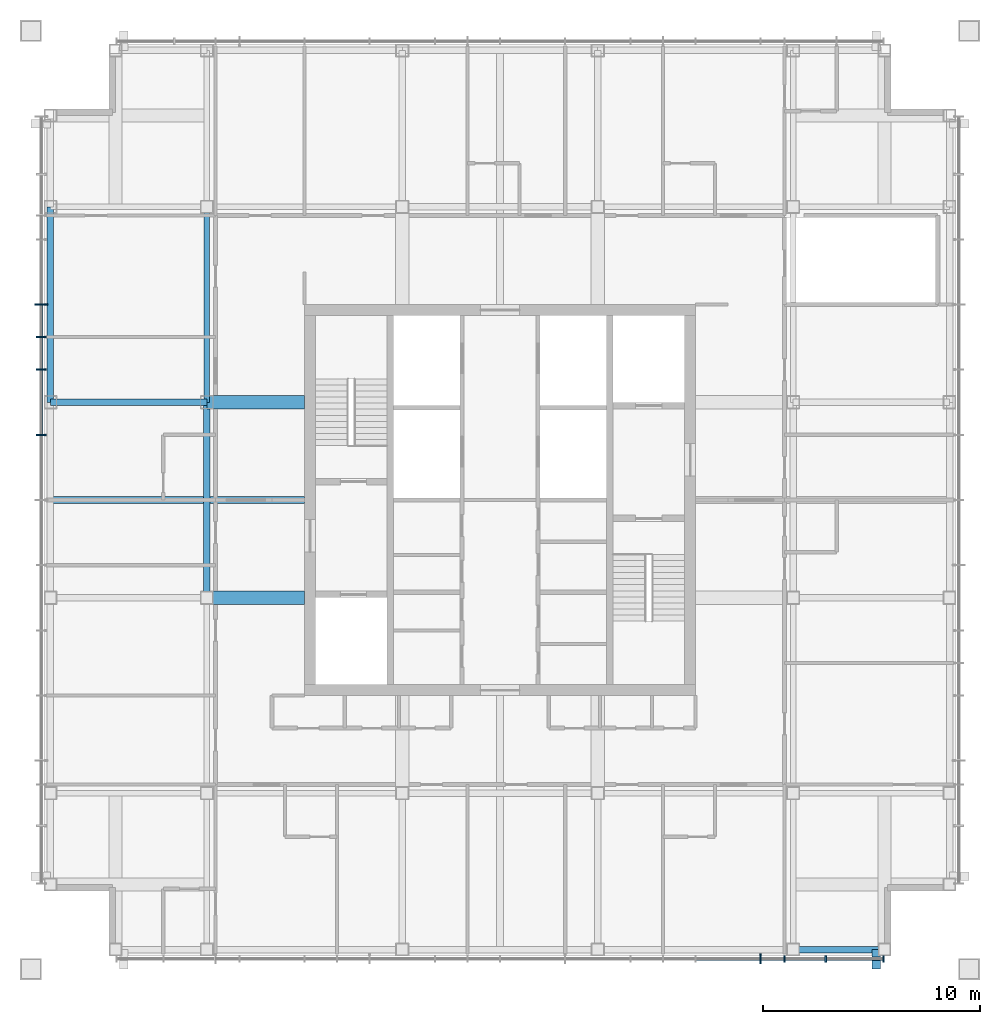
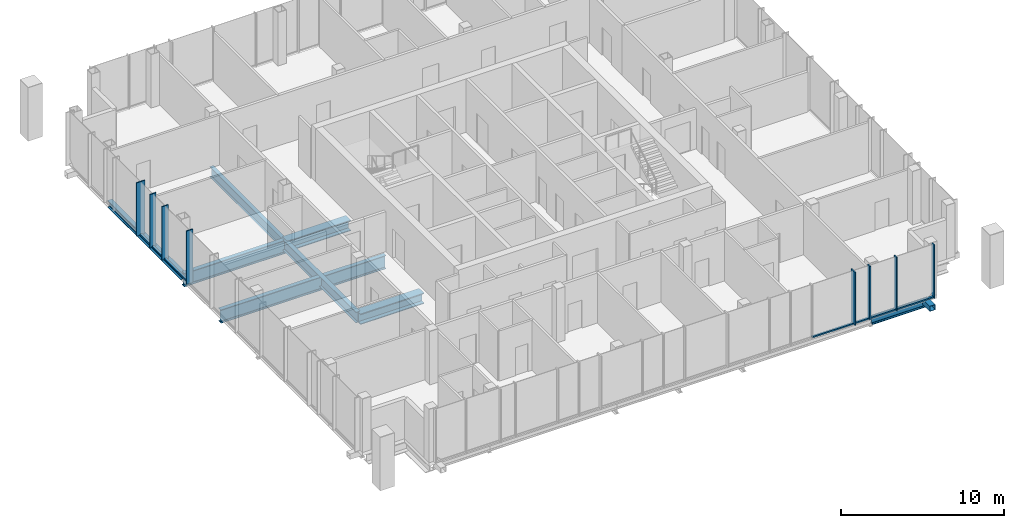
# One storey, part 3 of 12: 16 members, 8 beams, 2 elements without a shape of their own.
"""IFC4 building model written with IfcOpenShell, lengths in metres."""

from ifc_helpers import new_model, si_unit, direction, frame, origin, origin_2d, place, context, subcontext, project, spatial, rectangle, hollow_rectangle, i_section, extrude, material, layer, layer_set, material_profile, profile_set, type_object, element, aggregate, save


model = new_model("IFC4")

# Units and contexts
model_context = context("Model", 3, precision=1e-05, world=origin(), true_north=direction((0.0, 1.0)))
body_context = subcontext(model_context, "Body", "Model", "MODEL_VIEW")
ifc_project = project(units=[si_unit("LENGTHUNIT", "METRE"), si_unit("AREAUNIT", "SQUARE_METRE"), si_unit("VOLUMEUNIT", "CUBIC_METRE"), si_unit("PLANEANGLEUNIT", "RADIAN"), si_unit("MASSUNIT", "GRAM", prefix="KILO")], contexts=[model_context])

# Site, building, storey
site_placement = place(None, origin())
site = spatial("IfcSite", under=ifc_project, at=site_placement, CompositionType="ELEMENT")
building_placement = place(site_placement, origin())
building = spatial("IfcBuilding", under=site, at=building_placement, Name="Malebo Sky Hospital", CompositionType="ELEMENT")
storey_placement = place(building_placement, frame((0.0, 0.0, 286.0)))
storey = spatial("IfcBuildingStorey", under=building, at=storey_placement, Name="L69", CompositionType="ELEMENT", Elevation=286.0)

# Curtain wall, members
ifc_material_1 = material(Name="Anodised aluminium, natural silver", Category="aluminium")
ifc_layer_1 = layer(ifc_material_1, 0.25)
ifc_layer_set_1 = layer_set([ifc_layer_1], Name="WARD CURTAIN WALL EAST AND WEST")
curtain_wall_type_1 = type_object("IfcCurtainWallType", Name="WARD CURTAIN WALL EAST AND WEST", PredefinedType="NOTDEFINED", material=ifc_layer_set_1)
curtain_wall_1_placement = place(storey_placement, origin())
curtain_wall_1 = element("IfcCurtainWall", 1, at=curtain_wall_1_placement, inside=storey, type_object=curtain_wall_type_1, Name="EW curtain wall W", PredefinedType="NOTDEFINED")
ifc_material_profile_1 = material_profile(ifc_material_1, rectangle(XDim=0.14990234375, YDim=0.10009765625, at=origin_2d()), Name="ALUMINIUM TRANSOM 150x100")
ifc_profile_set_1 = profile_set([ifc_material_profile_1], Name="Anodised aluminium, natural silver")
member_type_1 = type_object("IfcMemberType", Name="ALUMINIUM TRANSOM 150x100", PredefinedType="USERDEFINED", material=ifc_profile_set_1)
member_1_placement = place(storey_placement, frame((38.875, 65.03759765625, 0.050048828125), z_axis=(0.0, 1.0, 0.0), x_axis=(-1.0, 0.0, 0.0)))
member_1 = element("IfcMember", 2, at=member_1_placement, type_object=member_type_1, Name="Transom 9", ObjectType="TRANSOM", PredefinedType="USERDEFINED", context=body_context, shape_type="SweptSolid", body=[
    extrude(rectangle(XDim=0.14990234375, YDim=0.10009765625, at=origin_2d()), origin(), (0.0, 0.0, 1.0), 2.9248046875),
])
member_2_placement = place(storey_placement, frame((38.875, 68.03759765625, 0.050048828125), z_axis=(0.0, 1.0, 0.0), x_axis=(-1.0, 0.0, 0.0)))
member_2 = element("IfcMember", 3, at=member_2_placement, type_object=member_type_1, Name="Transom 10", ObjectType="TRANSOM", PredefinedType="USERDEFINED", context=body_context, shape_type="SweptSolid", body=[
    extrude(rectangle(XDim=0.14990234375, YDim=0.10009765625, at=origin_2d()), origin(), (0.0, 0.0, 1.0), 1.4248046875),
])
member_3_placement = place(storey_placement, frame((38.875, 69.53759765625, 0.050048828125), z_axis=(0.0, 1.0, 0.0), x_axis=(-1.0, 0.0, 0.0)))
member_3 = element("IfcMember", 4, at=member_3_placement, type_object=member_type_1, Name="Transom 11", ObjectType="TRANSOM", PredefinedType="USERDEFINED", context=body_context, shape_type="SweptSolid", body=[
    extrude(rectangle(XDim=0.14990234375, YDim=0.10009765625, at=origin_2d()), origin(), (0.0, 0.0, 1.0), 1.4248046875),
])

ifc_layer_2 = layer(ifc_material_1, 0.25)
ifc_layer_set_2 = layer_set([ifc_layer_2], Name="WARD CURTAIN WALL NORTH AND SOUTH")
curtain_wall_type_2 = type_object("IfcCurtainWallType", Name="WARD CURTAIN WALL NORTH AND SOUTH", PredefinedType="NOTDEFINED", material=ifc_layer_set_2)
curtain_wall_2_placement = place(storey_placement, origin())
curtain_wall_2 = element("IfcCurtainWall", 5, at=curtain_wall_2_placement, inside=storey, type_object=curtain_wall_type_2, Name="NS curtain wall S", PredefinedType="NOTDEFINED")
member_4_placement = place(storey_placement, frame((77.625, 40.875, 0.050048828125), z_axis=(-1.0, 0.0, 0.0), x_axis=(0.0, -1.0, 0.0)))
member_4 = element("IfcMember", 6, at=member_4_placement, type_object=member_type_1, Name="Transom 1", ObjectType="TRANSOM", PredefinedType="USERDEFINED", context=body_context, shape_type="SweptSolid", body=[
    extrude(rectangle(XDim=0.14990234375, YDim=0.10009765625, at=origin_2d()), origin(), (0.0, 0.0, 1.0), 2.58740234375),
])
member_5_placement = place(storey_placement, frame((74.96240234375, 40.875, 0.050048828125), z_axis=(-1.0, 0.0, 0.0), x_axis=(0.0, -1.0, 0.0)))
member_5 = element("IfcMember", 7, at=member_5_placement, type_object=member_type_1, Name="Transom 2", ObjectType="TRANSOM", PredefinedType="USERDEFINED", context=body_context, shape_type="SweptSolid", body=[
    extrude(rectangle(XDim=0.14990234375, YDim=0.10009765625, at=origin_2d()), origin(), (0.0, 0.0, 1.0), 1.824951171875),
])
member_6_placement = place(storey_placement, frame((73.0625, 40.875, 0.050048828125), z_axis=(-1.0, 0.0, 0.0), x_axis=(0.0, -1.0, 0.0)))
member_6 = element("IfcMember", 8, at=member_6_placement, type_object=member_type_1, Name="Transom 3", ObjectType="TRANSOM", PredefinedType="USERDEFINED", context=body_context, shape_type="SweptSolid", body=[
    extrude(rectangle(XDim=0.14990234375, YDim=0.10009765625, at=origin_2d()), origin(), (0.0, 0.0, 1.0), 1.02490234375),
])
member_7_placement = place(storey_placement, frame((71.96240234375, 40.875, 0.050048828125), z_axis=(-1.0, 0.0, 0.0), x_axis=(0.0, -1.0, 0.0)))
member_7 = element("IfcMember", 9, at=member_7_placement, type_object=member_type_1, Name="Transom 4", ObjectType="TRANSOM", PredefinedType="USERDEFINED", context=body_context, shape_type="SweptSolid", body=[
    extrude(rectangle(XDim=0.14990234375, YDim=0.10009765625, at=origin_2d()), origin(), (0.0, 0.0, 1.0), 2.9248046875),
])

# Member
ifc_material_2 = material(Name="Steel S355", Category="steel")
ifc_material_profile_2 = material_profile(ifc_material_2, hollow_rectangle(XDim=0.39990234375, YDim=0.39990234375, WallThickness=0.02001953125, at=origin_2d()), Name="SHS 400x20")
ifc_profile_set_2 = profile_set([ifc_material_profile_2], Name="Steel S355")
member_type_2 = type_object("IfcMemberType", Name="BRACE STRUT SHS 400x20", PredefinedType="STRUT", material=ifc_profile_set_2)
member_8_placement = place(storey_placement, frame((77.328125, 40.39990234375, -0.39990234375), z_axis=(0.0, 1.0, 0.0), x_axis=(-1.0, 0.0, 0.0)))
element("IfcMember", 10, at=member_8_placement, inside=storey, type_object=member_type_2, Name="Brace strut DS1 L69", PredefinedType="STRUT", context=body_context, shape_type="SweptSolid", body=[
    extrude(hollow_rectangle(XDim=0.39990234375, YDim=0.39990234375, WallThickness=0.02001953125, at=origin_2d()), origin(), (0.0, 0.0, 1.0), 0.900146484375),
])

ifc_material_profile_3 = material_profile(ifc_material_1, rectangle(XDim=0.074951171875, YDim=0.300048828125, at=origin_2d()), Name="CW1 ALUMINIUM FIN MULLION 75x300")
ifc_profile_set_3 = profile_set([ifc_material_profile_3], Name="Anodised aluminium, natural silver")
member_type_3 = type_object("IfcMemberType", Name="CW1 ALUMINIUM FIN MULLION 75x300", PredefinedType="MULLION", material=ifc_profile_set_3)
member_9_placement = place(storey_placement, frame((77.66259765625, 40.875, 0.0), z_axis=(0.0, 0.0, 1.0), x_axis=(-1.0, 0.0, 0.0)))
member_9 = element("IfcMember", 11, at=member_9_placement, type_object=member_type_3, Name="Fin mullion 1", PredefinedType="MULLION", context=body_context, shape_type="SweptSolid", body=[
    extrude(rectangle(XDim=0.074951171875, YDim=0.300048828125, at=origin_2d()), origin(), (0.0, 0.0, 1.0), 4.0),
])

member_10_placement = place(storey_placement, frame((75.0, 40.875, 0.0), z_axis=(0.0, 0.0, 1.0), x_axis=(-1.0, 0.0, 0.0)))
member_10 = element("IfcMember", 12, at=member_10_placement, type_object=member_type_3, Name="Fin mullion 2", PredefinedType="MULLION", context=body_context, shape_type="SweptSolid", body=[
    extrude(rectangle(XDim=0.074951171875, YDim=0.300048828125, at=origin_2d()), origin(), (0.0, 0.0, 1.0), 4.0),
])

member_11_placement = place(storey_placement, frame((73.10009765625, 40.875, 0.0), z_axis=(0.0, 0.0, 1.0), x_axis=(-1.0, 0.0, 0.0)))
member_11 = element("IfcMember", 13, at=member_11_placement, type_object=member_type_3, Name="Fin mullion 3", PredefinedType="MULLION", context=body_context, shape_type="SweptSolid", body=[
    extrude(rectangle(XDim=0.074951171875, YDim=0.300048828125, at=origin_2d()), origin(), (0.0, 0.0, 1.0), 4.0),
])

ifc_material_profile_4 = material_profile(ifc_material_1, rectangle(XDim=0.074951171875, YDim=0.449951171875, at=origin_2d()), Name="CW1 ALUMINIUM FIN MULLION 75x450")
ifc_profile_set_4 = profile_set([ifc_material_profile_4], Name="Anodised aluminium, natural silver")
member_type_4 = type_object("IfcMemberType", Name="CW1 ALUMINIUM FIN MULLION 75x450", PredefinedType="MULLION", material=ifc_profile_set_4)
member_12_placement = place(storey_placement, frame((72.0, 40.875, 0.0), z_axis=(0.0, 0.0, 1.0), x_axis=(-1.0, 0.0, 0.0)))
member_12 = element("IfcMember", 14, at=member_12_placement, type_object=member_type_4, Name="Fin mullion 4", PredefinedType="MULLION", context=body_context, shape_type="SweptSolid", body=[
    extrude(rectangle(XDim=0.074951171875, YDim=0.449951171875, at=origin_2d()), origin(), (0.0, 0.0, 1.0), 4.0),
])

aggregate(curtain_wall_2, [member_9, member_10, member_11, member_12, member_4, member_5, member_6, member_7])

ifc_material_profile_5 = material_profile(ifc_material_1, rectangle(XDim=0.074951171875, YDim=0.449951171875, at=origin_2d()), Name="CW2 ALUMINIUM FIN MULLION 75x450")
ifc_profile_set_5 = profile_set([ifc_material_profile_5], Name="Anodised aluminium, natural silver")
member_type_5 = type_object("IfcMemberType", Name="CW2 ALUMINIUM FIN MULLION 75x450", PredefinedType="MULLION", material=ifc_profile_set_5)
member_13_placement = place(storey_placement, frame((38.875, 65.0, 0.0), z_axis=(0.0, 0.0, 1.0), x_axis=(0.0, 1.0, 0.0)))
member_13 = element("IfcMember", 15, at=member_13_placement, type_object=member_type_5, Name="Fin mullion 9", PredefinedType="MULLION", context=body_context, shape_type="SweptSolid", body=[
    extrude(rectangle(XDim=0.074951171875, YDim=0.449951171875, at=origin_2d()), origin(), (0.0, 0.0, 1.0), 4.0),
])

member_14_placement = place(storey_placement, frame((38.875, 68.0, 0.0), z_axis=(0.0, 0.0, 1.0), x_axis=(0.0, 1.0, 0.0)))
member_14 = element("IfcMember", 16, at=member_14_placement, type_object=member_type_5, Name="Fin mullion 10", PredefinedType="MULLION", context=body_context, shape_type="SweptSolid", body=[
    extrude(rectangle(XDim=0.074951171875, YDim=0.449951171875, at=origin_2d()), origin(), (0.0, 0.0, 1.0), 4.0),
])

member_15_placement = place(storey_placement, frame((38.875, 69.5, 0.0), z_axis=(0.0, 0.0, 1.0), x_axis=(0.0, 1.0, 0.0)))
member_15 = element("IfcMember", 17, at=member_15_placement, type_object=member_type_5, Name="Fin mullion 11", PredefinedType="MULLION", context=body_context, shape_type="SweptSolid", body=[
    extrude(rectangle(XDim=0.074951171875, YDim=0.449951171875, at=origin_2d()), origin(), (0.0, 0.0, 1.0), 4.0),
])

ifc_material_profile_6 = material_profile(ifc_material_1, rectangle(XDim=0.074951171875, YDim=0.60009765625, at=origin_2d()), Name="CW2 ALUMINIUM FIN MULLION 75x600")
ifc_profile_set_6 = profile_set([ifc_material_profile_6], Name="Anodised aluminium, natural silver")
member_type_6 = type_object("IfcMemberType", Name="CW2 ALUMINIUM FIN MULLION 75x600", PredefinedType="MULLION", material=ifc_profile_set_6)
member_16_placement = place(storey_placement, frame((38.875, 71.0, 0.0), z_axis=(0.0, 0.0, 1.0), x_axis=(0.0, 1.0, 0.0)))
member_16 = element("IfcMember", 18, at=member_16_placement, type_object=member_type_6, Name="Fin mullion 12", PredefinedType="MULLION", context=body_context, shape_type="SweptSolid", body=[
    extrude(rectangle(XDim=0.074951171875, YDim=0.60009765625, at=origin_2d()), origin(), (0.0, 0.0, 1.0), 4.0),
])

aggregate(curtain_wall_1, [member_13, member_14, member_15, member_16, member_1, member_2, member_3])

# Beams
ifc_material_profile_7 = material_profile(ifc_material_2, i_section(OverallWidth=0.305908203125, OverallDepth=0.52392578125, WebThickness=0.02099609375, FlangeThickness=0.0400390625, FilletRadius=0.027099609375, at=origin_2d()), Name="HEM 500")
ifc_profile_set_7 = profile_set([ifc_material_profile_7], Name="Steel S355")
beam_type_1 = type_object("IfcBeamType", Name="EDGE BEAM HEM 500", PredefinedType="BEAM", material=ifc_profile_set_7)
beam_1_placement = place(storey_placement, frame((39.300048828125, 66.5, -0.511962890625), z_axis=(0.0, 1.0, 0.0), x_axis=(-1.0, 0.0, 0.0)))
element("IfcBeam", 19, at=beam_1_placement, inside=storey, type_object=beam_type_1, Name="Beam 003 L69", PredefinedType="BEAM", context=body_context, shape_type="SweptSolid", body=[
    extrude(i_section(OverallWidth=0.305908203125, OverallDepth=0.52392578125, WebThickness=0.02099609375, FlangeThickness=0.0400390625, FilletRadius=0.027099609375, at=origin_2d()), origin(), (0.0, 0.0, 1.0), 9.0),
])
beam_2_placement = place(storey_placement, frame((73.5, 41.300048828125, -0.511962890625), z_axis=(1.0, 0.0, 0.0), x_axis=(0.0, 1.0, 0.0)))
element("IfcBeam", 20, at=beam_2_placement, inside=storey, type_object=beam_type_1, Name="Beam 038 L69", PredefinedType="BEAM", context=body_context, shape_type="SweptSolid", body=[
    extrude(i_section(OverallWidth=0.305908203125, OverallDepth=0.52392578125, WebThickness=0.02099609375, FlangeThickness=0.0400390625, FilletRadius=0.027099609375, at=origin_2d()), origin(), (0.0, 0.0, 1.0), 4.050048828125),
])
ifc_material_profile_8 = material_profile(ifc_material_2, i_section(OverallWidth=0.300048828125, OverallDepth=1.0, WebThickness=0.01904296875, FlangeThickness=0.035888671875, FilletRadius=0.030029296875, at=origin_2d()), Name="HEB 1000")
ifc_profile_set_8 = profile_set([ifc_material_profile_8], Name="Steel S355")
beam_type_2 = type_object("IfcBeamType", Name="FLOOR BEAM HEB 1000", PredefinedType="BEAM", material=ifc_profile_set_8)
beam_3_placement = place(storey_placement, frame((39.300048828125, 62.0, -0.75), z_axis=(1.0, 0.0, 0.0), x_axis=(0.0, 1.0, 0.0)))
element("IfcBeam", 21, at=beam_3_placement, inside=storey, type_object=beam_type_2, Name="Beam 050 L69", PredefinedType="BEAM", context=body_context, shape_type="SweptSolid", body=[
    extrude(i_section(OverallWidth=0.300048828125, OverallDepth=1.0, WebThickness=0.01904296875, FlangeThickness=0.035888671875, FilletRadius=0.030029296875, at=origin_2d()), origin(), (0.0, 0.0, 1.0), 11.699951171875),
])
beam_4_placement = place(storey_placement, frame((39.300048828125, 66.5, -0.75), z_axis=(1.0, 0.0, 0.0), x_axis=(0.0, 1.0, 0.0)))
element("IfcBeam", 22, at=beam_4_placement, inside=storey, type_object=beam_type_2, Name="Beam 052 L69", PredefinedType="BEAM", context=body_context, shape_type="SweptSolid", body=[
    extrude(i_section(OverallWidth=0.300048828125, OverallDepth=1.0, WebThickness=0.01904296875, FlangeThickness=0.035888671875, FilletRadius=0.030029296875, at=origin_2d()), origin(), (0.0, 0.0, 1.0), 7.199951171875),
])
ifc_material_profile_9 = material_profile(ifc_material_2, i_section(OverallWidth=0.26708984375, OverallDepth=0.761962890625, WebThickness=0.014404296875, FlangeThickness=0.021484375, FilletRadius=0.01708984375, at=origin_2d()), Name="IPE 750x173")
ifc_profile_set_9 = profile_set([ifc_material_profile_9], Name="Steel S355")
beam_type_3 = type_object("IfcBeamType", Name="FLOOR BEAM IPE 750x173", PredefinedType="BEAM", material=ifc_profile_set_9)
beam_5_placement = place(storey_placement, frame((46.5, 66.5, -0.631103515625), z_axis=(0.0, 1.0, 0.0), x_axis=(-1.0, 0.0, 0.0)))
element("IfcBeam", 23, at=beam_5_placement, inside=storey, type_object=beam_type_3, Name="Beam 010 L69", PredefinedType="BEAM", context=body_context, shape_type="SweptSolid", body=[
    extrude(i_section(OverallWidth=0.26708984375, OverallDepth=0.761962890625, WebThickness=0.014404296875, FlangeThickness=0.021484375, FilletRadius=0.01708984375, at=origin_2d()), origin(), (0.0, 0.0, 1.0), 9.0),
])
ifc_material_profile_10 = material_profile(ifc_material_2, i_section(OverallWidth=0.60009765625, OverallDepth=0.800048828125, WebThickness=0.0400390625, FlangeThickness=0.06005859375, at=origin_2d()), Name="PG 800x600x40x60")
ifc_profile_set_10 = profile_set([ifc_material_profile_10], Name="Steel S355")
beam_type_4 = type_object("IfcBeamType", Name="FLOOR BEAM PG 800x600x40x60", PredefinedType="BEAM", material=ifc_profile_set_10)
for number, where, z_axis, x_axis, name in (
    (24, (46.5, 57.5, -0.64990234375), (1.0, 0.0, 0.0), (0.0, 1.0, 0.0), "Beam 047 L69"),
    (25, (46.5, 66.5, -0.64990234375), (1.0, 0.0, 0.0), (0.0, 1.0, 0.0), "Beam 053 L69"),
):
    element("IfcBeam", number, at=place(storey_placement, frame(where, z_axis=z_axis, x_axis=x_axis)), inside=storey, type_object=beam_type_4, Name=name, PredefinedType="BEAM", context=body_context, shape_type="SweptSolid", body=[
        extrude(i_section(OverallWidth=0.60009765625, OverallDepth=0.800048828125, WebThickness=0.0400390625, FlangeThickness=0.06005859375, at=origin_2d()), origin(), (0.0, 0.0, 1.0), 4.5),
    ])
ifc_material_profile_11 = material_profile(ifc_material_2, i_section(OverallWidth=0.300048828125, OverallDepth=0.800048828125, WebThickness=0.017578125, FlangeThickness=0.032958984375, FilletRadius=0.030029296875, at=origin_2d()), Name="HEB 800")
ifc_profile_set_11 = profile_set([ifc_material_profile_11], Name="Steel S355")
beam_type_5 = type_object("IfcBeamType", Name="RING GIRDER HEB 800", PredefinedType="BEAM", material=ifc_profile_set_11)
beam_6_placement = place(storey_placement, frame((46.5, 57.5, -0.64990234375), z_axis=(0.0, 1.0, 0.0), x_axis=(-1.0, 0.0, 0.0)))
element("IfcBeam", 26, at=beam_6_placement, inside=storey, type_object=beam_type_5, Name="Beam 009 L69", PredefinedType="BEAM", context=body_context, shape_type="SweptSolid", body=[
    extrude(i_section(OverallWidth=0.300048828125, OverallDepth=0.800048828125, WebThickness=0.017578125, FlangeThickness=0.032958984375, FilletRadius=0.030029296875, at=origin_2d()), origin(), (0.0, 0.0, 1.0), 9.0),
])

save(model, "model.ifc")
